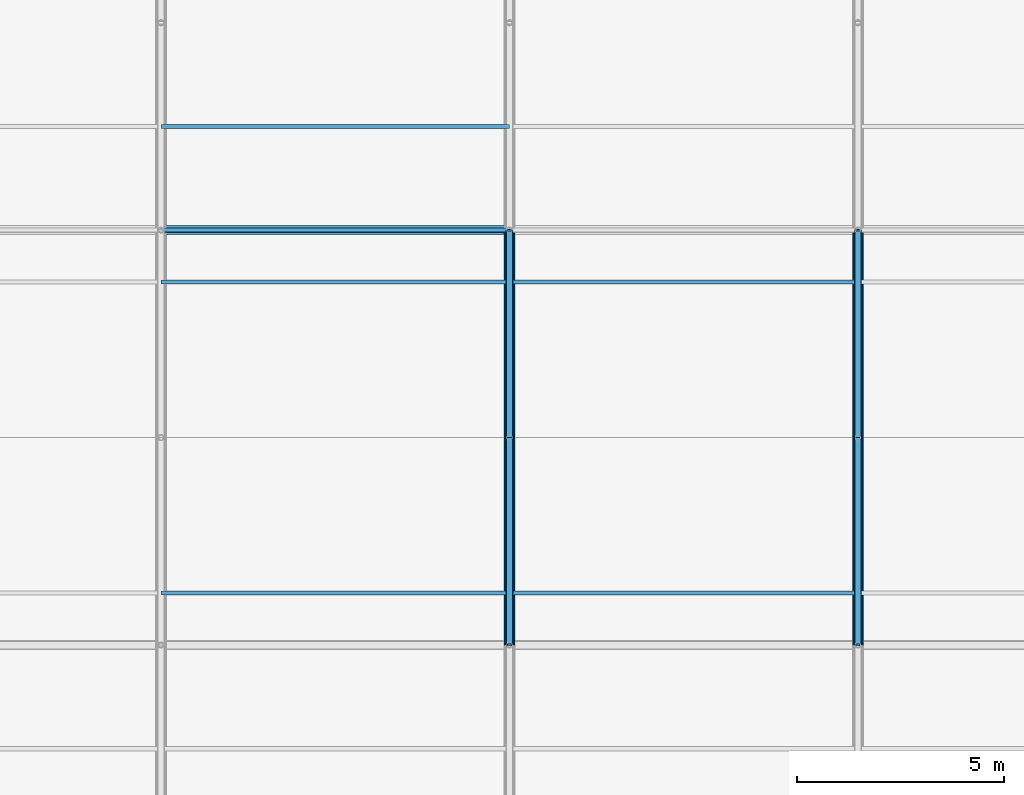
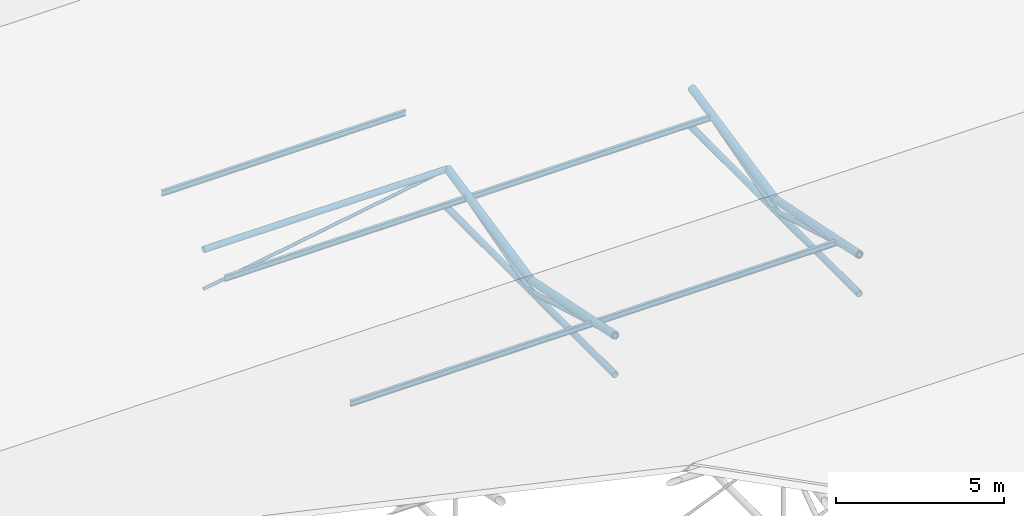
# One storey, part 41 of 194: 14 members, 5 beams.
"""IFC4 building model written with IfcOpenShell, lengths in metres."""

from ifc_helpers import new_model, si_unit, direction, frame, origin, origin_2d, place, context, subcontext, project, spatial, hollow_circle, i_section, extrude, material, material_profile, profile_set, type_object, element, save


model = new_model("IFC4")

# Units and contexts
model_context = context("Model", 3, precision=1e-05, world=origin(), true_north=direction((0.0, 1.0)))
body_context = subcontext(model_context, "Body", "Model", "MODEL_VIEW")
ifc_project = project(units=[si_unit("LENGTHUNIT", "METRE"), si_unit("AREAUNIT", "SQUARE_METRE"), si_unit("VOLUMEUNIT", "CUBIC_METRE"), si_unit("PLANEANGLEUNIT", "RADIAN"), si_unit("MASSUNIT", "GRAM", prefix="KILO")], contexts=[model_context])

# Site, building, storey
site_placement = place(None, origin())
site = spatial("IfcSite", under=ifc_project, at=site_placement, CompositionType="ELEMENT")
building_placement = place(site_placement, origin())
building = spatial("IfcBuilding", under=site, at=building_placement, Name="Kazenagashi Tramway Depot", CompositionType="ELEMENT")
storey_placement = place(building_placement, frame((0.0, 0.0, 23.7)))
storey = spatial("IfcBuildingStorey", under=building, at=storey_placement, Name="ROOF", CompositionType="ELEMENT", Elevation=23.7)

# Beams
ifc_material_1 = material(Name="Steel SN400B", Category="steel")
ifc_material_profile_1 = material_profile(ifc_material_1, i_section(OverallWidth=0.1, OverallDepth=0.2, WebThickness=0.0055, FlangeThickness=0.008, at=origin_2d()), Name="H-200x100x5.5x8")
ifc_profile_set_1 = profile_set([ifc_material_profile_1], Name="Steel SN400B")
beam_type = type_object("IfcBeamType", Name="PR-01", PredefinedType="USERDEFINED", material=ifc_profile_set_1)
for number, where, z_axis, x_axis, name in (
    (1, (78.4, 96.25, -12.955), (1.0, 0.0, 0.0), (0.0, 1.0, 0.0), "Beam PR-01 BM-2112"),
    (2, (86.8, 96.25, -12.955), (1.0, 0.0, 0.0), (0.0, 1.0, 0.0), "Beam PR-01 BM-2113"),
    (3, (78.4, 103.75, -12.955), (1.0, 0.0, 0.0), (0.0, 1.0, 0.0), "Beam PR-01 BM-2130"),
    (4, (86.8, 103.75, -12.955), (1.0, 0.0, 0.0), (0.0, 1.0, 0.0), "Beam PR-01 BM-2131"),
    (5, (78.4, 107.5, -12.13), (1.0, 0.0, 0.0), (0.0, 1.0, 0.0), "Beam PR-01 BM-2148"),
):
    element("IfcBeam", number, at=place(storey_placement, frame(where, z_axis=z_axis, x_axis=x_axis)), inside=storey, type_object=beam_type, Name=name, ObjectType="PURLIN", PredefinedType="USERDEFINED", context=body_context, shape_type="SweptSolid", body=[
        extrude(i_section(OverallWidth=0.1, OverallDepth=0.2, WebThickness=0.0055, FlangeThickness=0.008, at=origin_2d()), origin(), (0.0, 0.0, 1.0), 8.4),
    ])

# Members
ifc_material_2 = material(Name="Steel STK490", Category="steel")
ifc_material_profile_2 = material_profile(ifc_material_2, hollow_circle(Radius=0.1337, WallThickness=0.0093, at=origin_2d()), Name="CHS-267.4x9.3")
ifc_profile_set_2 = profile_set([ifc_material_profile_2], Name="Steel STK490")
member_type_1 = type_object("IfcMemberType", Name="TC-01", PredefinedType="CHORD", material=ifc_profile_set_2)
for number, where, z_axis, x_axis, name in (
    (6, (86.8, 95.0, -12.667), (0.0, 0.979317999984, -0.202327098797), (-1.0, 0.0, 0.0), "Tubular Space Frame TC-01 MEM-0321"),
    (7, (86.8, 100.0, -13.7), (0.0, 0.979317999984, 0.202327098797), (-1.0, 0.0, 0.0), "Tubular Space Frame TC-01 MEM-0337"),
    (8, (95.2, 95.0, -12.667), (0.0, 0.979317999984, -0.202327098797), (-1.0, 0.0, 0.0), "Tubular Space Frame TC-01 MEM-0382"),
    (9, (95.2, 100.0, -13.7), (0.0, 0.979317999984, 0.202327098797), (-1.0, 0.0, 0.0), "Tubular Space Frame TC-01 MEM-0398"),
):
    element("IfcMember", number, at=place(storey_placement, frame(where, z_axis=z_axis, x_axis=x_axis)), inside=storey, type_object=member_type_1, Name=name, PredefinedType="CHORD", context=body_context, shape_type="SweptSolid", body=[
        extrude(hollow_circle(Radius=0.1337, WallThickness=0.0093, at=origin_2d()), origin(), (0.0, 0.0, 1.0), 5.105594),
    ])
ifc_material_profile_3 = material_profile(ifc_material_2, hollow_circle(Radius=0.10815, WallThickness=0.0082, at=origin_2d()), Name="CHS-216.3x8.2")
ifc_profile_set_3 = profile_set([ifc_material_profile_3], Name="Steel STK490")
member_type_2 = type_object("IfcMemberType", Name="TC-02", PredefinedType="CHORD", material=ifc_profile_set_3)
member_1_placement = place(storey_placement, frame((78.4, 105.0, -12.667), z_axis=(1.0, 0.0, 0.0), x_axis=(0.0, 1.0, 0.0)))
element("IfcMember", 10, at=member_1_placement, inside=storey, type_object=member_type_2, Name="Tubular Space Frame TC-02 MEM-0300", PredefinedType="CHORD", context=body_context, shape_type="SweptSolid", body=[
    extrude(hollow_circle(Radius=0.10815, WallThickness=0.0082, at=origin_2d()), origin(), (0.0, 0.0, 1.0), 8.4),
])
for number, where, z_axis, x_axis, name in (
    (11, (86.8, 95.0, -14.1), (0.0, 1.0, 0.0), (-1.0, 0.0, 0.0), "Tubular Space Frame TC-02 MEM-0322"),
    (12, (86.8, 100.0, -14.1), (0.0, 1.0, 0.0), (-1.0, 0.0, 0.0), "Tubular Space Frame TC-02 MEM-0338"),
    (13, (95.2, 95.0, -14.1), (0.0, 1.0, 0.0), (-1.0, 0.0, 0.0), "Tubular Space Frame TC-02 MEM-0383"),
    (14, (95.2, 100.0, -14.1), (0.0, 1.0, 0.0), (-1.0, 0.0, 0.0), "Tubular Space Frame TC-02 MEM-0399"),
):
    element("IfcMember", number, at=place(storey_placement, frame(where, z_axis=z_axis, x_axis=x_axis)), inside=storey, type_object=member_type_2, Name=name, PredefinedType="CHORD", context=body_context, shape_type="SweptSolid", body=[
        extrude(hollow_circle(Radius=0.10815, WallThickness=0.0082, at=origin_2d()), origin(), (0.0, 0.0, 1.0), 5.0),
    ])
ifc_material_profile_4 = material_profile(ifc_material_2, hollow_circle(Radius=0.0826, WallThickness=0.0071, at=origin_2d()), Name="CHS-165.2x7.1")
ifc_profile_set_4 = profile_set([ifc_material_profile_4], Name="Steel STK490")
member_type_3 = type_object("IfcMemberType", Name="TS-01", PredefinedType="STRUT", material=ifc_profile_set_4)
for number, where, z_axis, x_axis, name in (
    (15, (86.8, 95.0, -12.667), (0.0, 0.961298717795, -0.27550821252), (-1.0, 0.0, 0.0), "Tubular Space Frame TS-01 MEM-0323"),
    (16, (86.8, 100.0, -14.1), (0.0, 0.961298717795, 0.27550821252), (-1.0, 0.0, 0.0), "Tubular Space Frame TS-01 MEM-0339"),
    (17, (95.2, 95.0, -12.667), (0.0, 0.961298717795, -0.27550821252), (-1.0, 0.0, 0.0), "Tubular Space Frame TS-01 MEM-0384"),
    (18, (95.2, 100.0, -14.1), (0.0, 0.961298717795, 0.27550821252), (-1.0, 0.0, 0.0), "Tubular Space Frame TS-01 MEM-0400"),
):
    element("IfcMember", number, at=place(storey_placement, frame(where, z_axis=z_axis, x_axis=x_axis)), inside=storey, type_object=member_type_3, Name=name, PredefinedType="STRUT", context=body_context, shape_type="SweptSolid", body=[
        extrude(hollow_circle(Radius=0.0826, WallThickness=0.0071, at=origin_2d()), origin(), (0.0, 0.0, 1.0), 5.201297),
    ])
ifc_material_3 = material(Name="Steel STK400", Category="steel")
ifc_material_profile_5 = material_profile(ifc_material_3, hollow_circle(Radius=0.05715, WallThickness=0.0045, at=origin_2d()), Name="CHS-114.3x4.5")
ifc_profile_set_5 = profile_set([ifc_material_profile_5], Name="Steel STK400")
member_type_4 = type_object("IfcMemberType", Name="TS-03", PredefinedType="STRUT", material=ifc_profile_set_5)
member_2_placement = place(storey_placement, frame((78.4, 105.0, -14.1), z_axis=(0.985758734117, 0.0, 0.168165745951), x_axis=(0.0, 1.0, 0.0)))
element("IfcMember", 19, at=member_2_placement, inside=storey, type_object=member_type_4, Name="Tubular Space Frame TS-03 MEM-0301", PredefinedType="STRUT", context=body_context, shape_type="SweptSolid", body=[
    extrude(hollow_circle(Radius=0.05715, WallThickness=0.0045, at=origin_2d()), origin(), (0.0, 0.0, 1.0), 8.521355),
])

save(model, "model.ifc")
